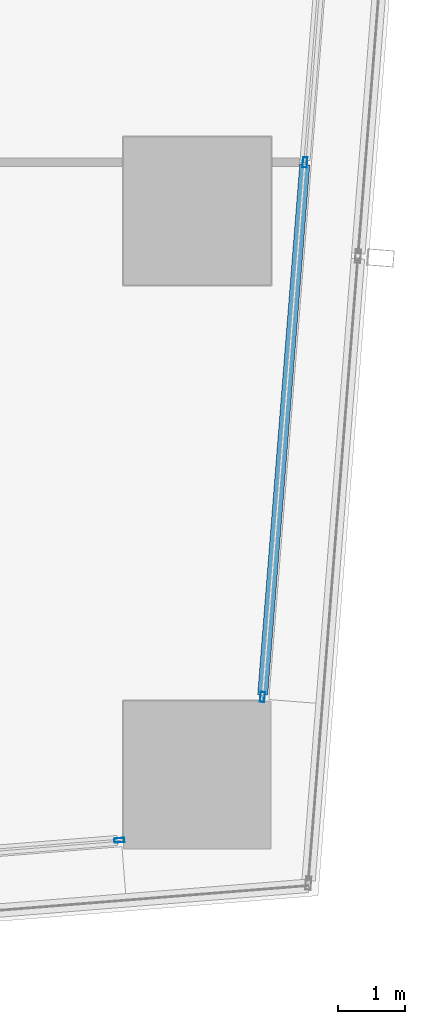
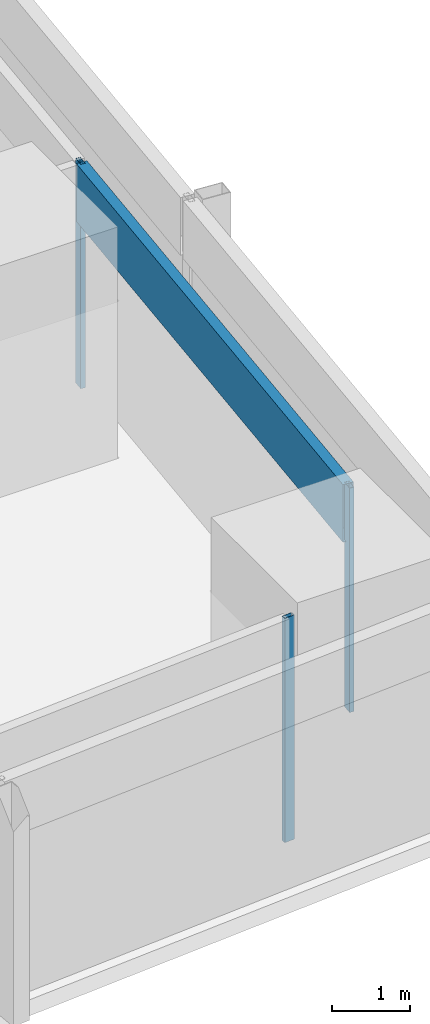
# One storey, part 12 of 44: 4 members, 2 elements without a shape of their own.
"""IFC4 building model written with IfcOpenShell, lengths in metres."""

from ifc_helpers import new_model, si_unit, direction, frame, origin, origin_2d, place, context, subcontext, project, spatial, hollow_rectangle, extrude, material, material_profile, profile_set, type_object, element, aggregate, save


model = new_model("IFC4")

# Units and contexts
model_context = context("Model", 3, precision=1e-05, world=origin(), true_north=direction((0.0, 1.0)))
body_context = subcontext(model_context, "Body", "Model", "MODEL_VIEW")
ifc_project = project(units=[si_unit("LENGTHUNIT", "METRE"), si_unit("AREAUNIT", "SQUARE_METRE"), si_unit("VOLUMEUNIT", "CUBIC_METRE"), si_unit("PLANEANGLEUNIT", "RADIAN"), si_unit("MASSUNIT", "GRAM", prefix="KILO")], contexts=[model_context])

# Site, building, storey
site_placement = place(None, origin())
site = spatial("IfcSite", under=ifc_project, at=site_placement, CompositionType="ELEMENT")
building_placement = place(site_placement, origin())
building = spatial("IfcBuilding", under=site, at=building_placement, Name="Rekha Terrace Tower", CompositionType="ELEMENT")
storey_placement = place(building_placement, frame((0.0, 0.0, 51.64990234375)))
storey = spatial("IfcBuildingStorey", under=building, at=storey_placement, Name="L12", CompositionType="ELEMENT", Elevation=51.64990234375)

# Curtain wall, member
ifc_material_1 = material(Name="Aluminium framing", Category="aluminium")
curtain_wall_type = type_object("IfcCurtainWallType", Name="CW1 double skin inner glazing", PredefinedType="USERDEFINED", material=ifc_material_1)
curtain_wall_1_placement = place(storey_placement, origin())
curtain_wall_1 = element("IfcCurtainWall", 1, at=curtain_wall_1_placement, inside=storey, type_object=curtain_wall_type, Name="CW1 double skin inner glazing", ObjectType="DOUBLE SKIN INNER GLAZING", PredefinedType="USERDEFINED")
ifc_material_2 = material(Name="Aluminium mullion section", Category="aluminium")
ifc_material_profile_1 = material_profile(ifc_material_2, hollow_rectangle(XDim=0.06494140625, YDim=0.14990234375, WallThickness=0.00390625, at=origin_2d()), Name="AL RHS 65x150")
ifc_profile_set_1 = profile_set([ifc_material_profile_1], Name="Aluminium mullion section")
member_type_1 = type_object("IfcMemberType", Name="CW1 mullion RHS 65 x 150", PredefinedType="MULLION", material=ifc_profile_set_1)
member_1_placement = place(storey_placement, frame((66.0400390625, 7.42626953125, 0.0), z_axis=(0.0, 0.0, 1.0), x_axis=(-0.079872204468, 0.996805111821, 0.0)))
member_1 = element("IfcMember", 2, at=member_1_placement, type_object=member_type_1, Name="CW1 mullion 3", PredefinedType="MULLION", context=body_context, shape_type="SweptSolid", body=[
    extrude(hollow_rectangle(XDim=0.06494140625, YDim=0.14990234375, WallThickness=0.00390625, at=origin_2d()), origin(), (0.0, 0.0, 1.0), 3.5),
])
aggregate(curtain_wall_1, [member_1])

# Curtain wall, members
curtain_wall_2_placement = place(storey_placement, origin())
curtain_wall_2 = element("IfcCurtainWall", 3, at=curtain_wall_2_placement, inside=storey, type_object=curtain_wall_type, Name="CW1 double skin inner glazing", ObjectType="DOUBLE SKIN INNER GLAZING", PredefinedType="USERDEFINED")
member_2_placement = place(storey_placement, frame((68.171630859375, 9.559814453125, 0.0), z_axis=(0.0, 0.0, 1.0), x_axis=(-0.996865392576, 0.079116301, 0.0)))
member_2 = element("IfcMember", 4, at=member_2_placement, type_object=member_type_1, Name="CW1 mullion 1", PredefinedType="MULLION", context=body_context, shape_type="SweptSolid", body=[
    extrude(hollow_rectangle(XDim=0.06494140625, YDim=0.14990234375, WallThickness=0.00390625, at=origin_2d()), origin(), (0.0, 0.0, 1.0), 3.5),
])
member_3_placement = place(storey_placement, frame((68.8037109375, 17.5234375, 0.0), z_axis=(0.0, 0.0, 1.0), x_axis=(-0.996865392576, 0.079116301, 0.0)))
member_3 = element("IfcMember", 5, at=member_3_placement, type_object=member_type_1, Name="CW1 mullion 2", PredefinedType="MULLION", context=body_context, shape_type="SweptSolid", body=[
    extrude(hollow_rectangle(XDim=0.06494140625, YDim=0.14990234375, WallThickness=0.00390625, at=origin_2d()), origin(), (0.0, 0.0, 1.0), 3.5),
])
ifc_material_3 = material(Name="Insulated aluminium spandrel box", Category="aluminium")
ifc_material_profile_2 = material_profile(ifc_material_3, hollow_rectangle(XDim=0.14990234375, YDim=0.89990234375, WallThickness=0.0029296875, at=origin_2d()), Name="AL SPANDREL BOX 150x900")
ifc_profile_set_2 = profile_set([ifc_material_profile_2], Name="Insulated aluminium spandrel box")
member_type_2 = type_object("IfcMemberType", Name="CW1 spandrel transom 150 x 900", PredefinedType="USERDEFINED", material=ifc_profile_set_2)
member_4_placement = place(storey_placement, frame((68.174072265625, 9.59228515625, 3.050048828125), z_axis=(0.079125535375, 0.996864659646, 0.0), x_axis=(-0.996864659646, 0.079125535375, 0.0)))
member_4 = element("IfcMember", 6, at=member_4_placement, type_object=member_type_2, Name="CW1 spandrel transom 1", ObjectType="TRANSOM", PredefinedType="USERDEFINED", context=body_context, shape_type="SweptSolid", body=[
    extrude(hollow_rectangle(XDim=0.14990234375, YDim=0.89990234375, WallThickness=0.0029296875, at=origin_2d()), origin(), (0.0, 0.0, 1.0), 7.923583984375),
])
aggregate(curtain_wall_2, [member_2, member_3, member_4])

save(model, "model.ifc")
